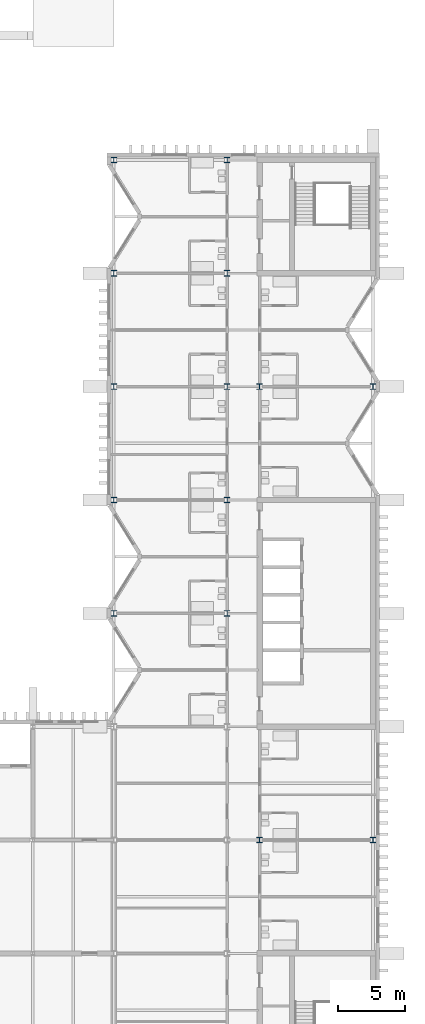
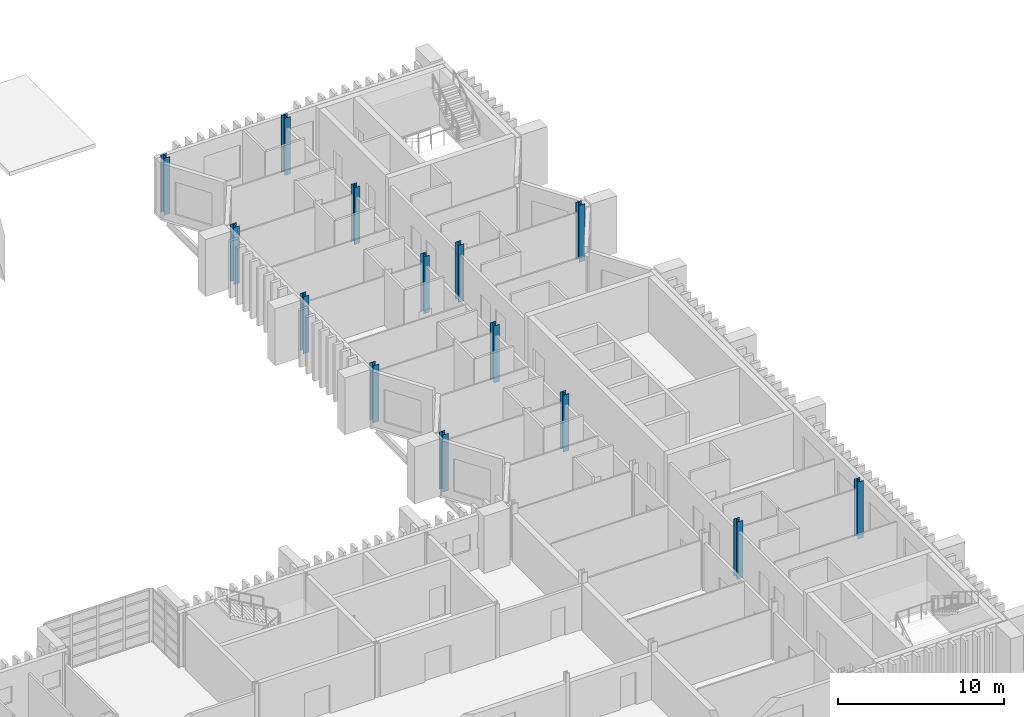
# One storey, part 12 of 88: 14 columns.
"""IFC4 building model written with IfcOpenShell, lengths in metres."""

from ifc_helpers import new_model, si_unit, direction, frame, origin, origin_2d, place, context, subcontext, project, spatial, i_section, extrude, material, material_profile, profile_set, type_object, element, save


model = new_model("IFC4")

# Units and contexts
model_context = context("Model", 3, precision=1e-05, world=origin(), true_north=direction((0.0, 1.0)))
body_context = subcontext(model_context, "Body", "Model", "MODEL_VIEW")
ifc_project = project(units=[si_unit("LENGTHUNIT", "METRE"), si_unit("AREAUNIT", "SQUARE_METRE"), si_unit("VOLUMEUNIT", "CUBIC_METRE"), si_unit("PLANEANGLEUNIT", "RADIAN"), si_unit("MASSUNIT", "GRAM", prefix="KILO")], contexts=[model_context])

# Site, building, storey
site_placement = place(None, origin())
site = spatial("IfcSite", under=ifc_project, at=site_placement, CompositionType="ELEMENT")
building_placement = place(site_placement, origin())
building = spatial("IfcBuilding", under=site, at=building_placement, Name="Cresset Court Congress Hotel", CompositionType="ELEMENT")
storey_placement = place(building_placement, frame((0.0, 0.0, 14.39990234375)))
storey = spatial("IfcBuildingStorey", under=building, at=storey_placement, Name="L03", CompositionType="ELEMENT", Elevation=14.39990234375)

# Columns
ifc_material = material(Name="Structural steel Q355B", Category="steel")
ifc_material_profile = material_profile(ifc_material, i_section(OverallWidth=0.405029296875, OverallDepth=0.4140625, WebThickness=0.01806640625, FlangeThickness=0.028076171875, FilletRadius=0.02197265625, at=origin_2d()), Name="HW414x405x18x28")
ifc_profile_set = profile_set([ifc_material_profile], Name="Structural steel Q355B")
column_type = type_object("IfcColumnType", Name="Steel column HW414x405x18x28", PredefinedType="COLUMN", material=ifc_profile_set)
for number, where, z_axis, x_axis, name in (
    (1, (157.199951171875, 33.60009765625, 0.0), (0.0, 0.0, 1.0), (1.0, 0.0, 0.0), "Column L03 5-20"),
    (2, (157.199951171875, 42.0, 0.0), (0.0, 0.0, 1.0), (1.0, 0.0, 0.0), "Column L03 6-20"),
    (3, (157.199951171875, 50.39990234375, 0.0), (0.0, 0.0, 1.0), (1.0, 0.0, 0.0), "Column L03 7-20"),
    (4, (157.199951171875, 58.800048828125, 0.0), (0.0, 0.0, 1.0), (1.0, 0.0, 0.0), "Column L03 8-20"),
    (5, (157.199951171875, 67.199951171875, 0.0), (0.0, 0.0, 1.0), (1.0, 0.0, 0.0), "Column L03 9-20"),
    (6, (165.60009765625, 33.60009765625, 0.0), (0.0, 0.0, 1.0), (1.0, 0.0, 0.0), "Column L03 5-21"),
    (7, (165.60009765625, 42.0, 0.0), (0.0, 0.0, 1.0), (1.0, 0.0, 0.0), "Column L03 6-21"),
    (8, (165.60009765625, 50.39990234375, 0.0), (0.0, 0.0, 1.0), (1.0, 0.0, 0.0), "Column L03 7-21"),
    (9, (165.60009765625, 58.800048828125, 0.0), (0.0, 0.0, 1.0), (1.0, 0.0, 0.0), "Column L03 8-21"),
    (10, (165.60009765625, 67.199951171875, 0.0), (0.0, 0.0, 1.0), (1.0, 0.0, 0.0), "Column L03 9-21"),
    (11, (168.0, 16.800048828125, 0.0), (0.0, 0.0, 1.0), (1.0, 0.0, 0.0), "Column L03 3-22"),
    (12, (168.0, 50.39990234375, 0.0), (0.0, 0.0, 1.0), (1.0, 0.0, 0.0), "Column L03 7-22"),
    (13, (176.39990234375, 16.800048828125, 0.0), (0.0, 0.0, 1.0), (1.0, 0.0, 0.0), "Column L03 3-23"),
    (14, (176.39990234375, 50.39990234375, 0.0), (0.0, 0.0, 1.0), (1.0, 0.0, 0.0), "Column L03 7-23"),
):
    element("IfcColumn", number, at=place(storey_placement, frame(where, z_axis=z_axis, x_axis=x_axis)), inside=storey, type_object=column_type, Name=name, PredefinedType="COLUMN", context=body_context, shape_type="SweptSolid", body=[
        extrude(i_section(OverallWidth=0.405029296875, OverallDepth=0.4140625, WebThickness=0.01806640625, FlangeThickness=0.028076171875, FilletRadius=0.02197265625, at=origin_2d()), origin(), (0.0, 0.0, 1.0), 4.2001953125),
    ])

save(model, "model.ifc")
